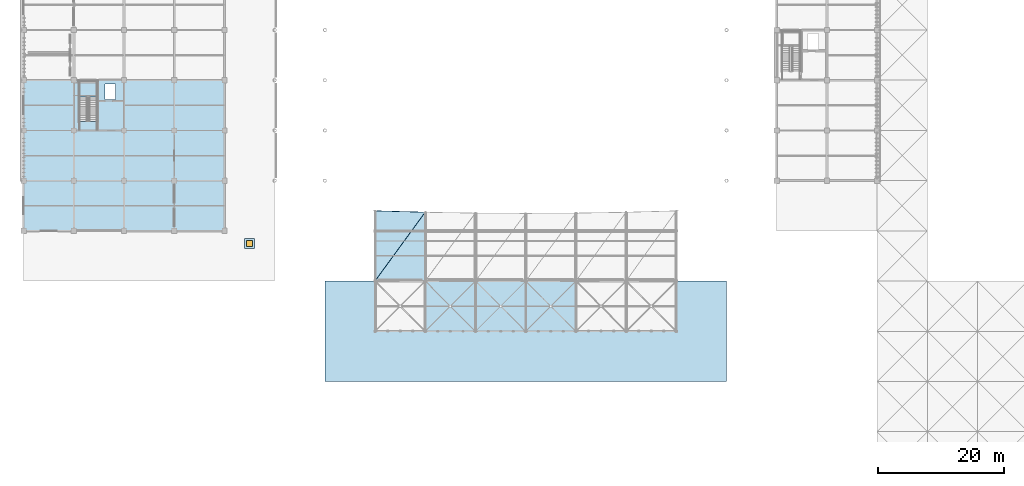
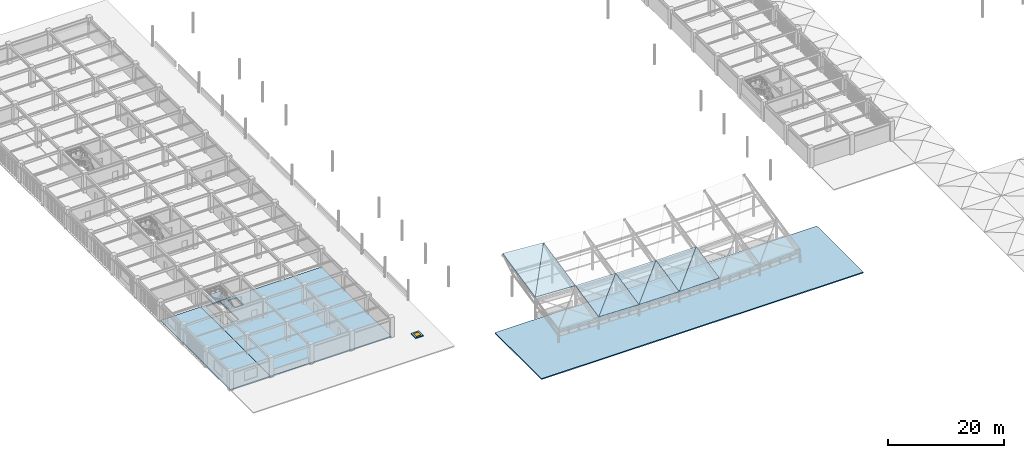
# One storey, part 42 of 78: 13 slabs, 1 door, 1 opening, 1 element without a shape of its own.
"""IFC4 building model written with IfcOpenShell, lengths in metres."""

from ifc_helpers import new_model, si_unit, direction, frame, origin, origin_2d, place, context, subcontext, project, spatial, polyline, rectangle, outline, extrude, material, layer, layer_set, type_object, element, fill, aggregate, save


model = new_model("IFC4")

# Units and contexts
model_context = context("Model", 3, precision=1e-05, world=origin(), true_north=direction((0.0, 1.0)))
body_context = subcontext(model_context, "Body", "Model", "MODEL_VIEW")
ifc_project = project(units=[si_unit("LENGTHUNIT", "METRE"), si_unit("AREAUNIT", "SQUARE_METRE"), si_unit("VOLUMEUNIT", "CUBIC_METRE"), si_unit("PLANEANGLEUNIT", "RADIAN"), si_unit("MASSUNIT", "GRAM", prefix="KILO")], contexts=[model_context])

# Site, building, storey
site_placement = place(None, origin())
site = spatial("IfcSite", under=ifc_project, at=site_placement, CompositionType="ELEMENT")
building_placement = place(site_placement, origin())
building = spatial("IfcBuilding", under=site, at=building_placement, Name="Haebicheon Civic Stadium", CompositionType="ELEMENT")
storey_placement = place(building_placement, frame((0.0, 0.0, 18.60009765625)))
storey = spatial("IfcBuildingStorey", under=building, at=storey_placement, Name="L05", CompositionType="ELEMENT", Elevation=18.60009765625)

# Slabs
ifc_material_1 = material(Name="White painted steel SM490", Category="steel")
ifc_layer_1 = layer(ifc_material_1, 0.159912109375, Name="White painted steel SM490")
ifc_layer_set_1 = layer_set([ifc_layer_1], Name="White painted steel SM490")
slab_type_1 = type_object("IfcSlabType", Name="SLB-CAN-160", PredefinedType="ROOF", material=ifc_layer_set_1)
slab_1_placement = place(storey_placement, frame((80.0, 32.0, 4.659912109375), z_axis=(0.044844821103, -0.209982700605, 0.976676101616), x_axis=(0.0, 0.977659661495, 0.210194163299)))
element("IfcSlab", 1, at=slab_1_placement, inside=storey, type_object=slab_type_1, material=ifc_layer_set_1, Name="CAN-SOUTH curled canopy facet 1.CT-A", PredefinedType="ROOF", context=body_context, shape_type="SweptSolid", body=[
    extrude(outline(polyline([(0.0, 0.0), (11.455879395437805, -1.3877787807814457e-17), (11.151674632276901, -8.00805638535099), (0.0, 0.0)])), origin(), (0.0, 0.0, -1.0), 0.159912109375),
])
slab_2_placement = place(storey_placement, frame((80.0, 32.0, 4.659912109375), z_axis=(0.044798515274, -0.209950594991, 0.976685128735), x_axis=(0.582702921999, 0.799616076373, 0.145160032723)))
element("IfcSlab", 2, at=slab_2_placement, inside=storey, type_object=slab_type_1, material=ifc_layer_set_1, Name="CAN-SOUTH curled canopy facet 1.CT-B", PredefinedType="ROOF", context=body_context, shape_type="SweptSolid", body=[
    extrude(outline(polyline([(0.0, 0.0), (13.729122847987373, -8.326672684688674e-16), (4.608357865934365, -6.549632448349318), (0.0, 0.0)])), origin(), (0.0, 0.0, -1.0), 0.159912109375),
])
slab_3_placement = place(storey_placement, frame((88.0, 24.0, 2.572998046875), z_axis=(0.026872357732, -0.210117380938, 0.977306790429), x_axis=(0.0, 0.977659849808, 0.210193287411)))
element("IfcSlab", 3, at=slab_3_placement, inside=storey, type_object=slab_type_1, material=ifc_layer_set_1, Name="CAN-SOUTH curled canopy facet 2.BS-A", PredefinedType="ROOF", context=body_context, shape_type="SweptSolid", body=[
    extrude(outline(polyline([(0.0, 0.0), (8.182805094807545, 0.0), (8.136568729583486, -8.002890059769918), (0.0, 0.0)])), origin(), (0.0, 0.0, -1.0), 0.159912109375),
])
slab_4_placement = place(storey_placement, frame((88.0, 24.0, 2.572998046875), z_axis=(0.026901992596, -0.210145720435, 0.977299881806), x_axis=(0.700972726941, 0.700972726941, 0.131432386301)))
element("IfcSlab", 4, at=slab_4_placement, inside=storey, type_object=slab_type_1, material=ifc_layer_set_1, Name="CAN-SOUTH curled canopy facet 2.BS-B", PredefinedType="ROOF", context=body_context, shape_type="SweptSolid", body=[
    extrude(outline(polyline([(0.0, 0.0), (11.412712210513327, -1.6653345369377348e-16), (5.578838453117467, -5.738035908865136), (0.0, 0.0)])), origin(), (0.0, 0.0, -1.0), 0.159912109375),
])
slab_5_placement = place(storey_placement, frame((96.0, 24.0, 2.352783203125), z_axis=(0.008920496547, -0.210213440378, 0.977614818948), x_axis=(0.0, 0.977653718245, 0.210221804772)))
element("IfcSlab", 5, at=slab_5_placement, inside=storey, type_object=slab_type_1, material=ifc_layer_set_1, Name="CAN-SOUTH curled canopy facet 3.BS-A", PredefinedType="ROOF", context=body_context, shape_type="SweptSolid", body=[
    extrude(outline(polyline([(0.0, 0.0), (8.182856415009239, -1.734723475976807e-18), (8.167510633850375, -8.000318320032534), (0.0, 0.0)])), origin(), (0.0, 0.0, -1.0), 0.159912109375),
])
slab_6_placement = place(storey_placement, frame((96.0, 24.0, 2.352783203125), z_axis=(0.008920496547, -0.210213440378, 0.977614818948), x_axis=(0.69972929891, 0.69972929891, 0.144075731804)))
element("IfcSlab", 6, at=slab_6_placement, inside=storey, type_object=slab_type_1, material=ifc_layer_set_1, Name="CAN-SOUTH curled canopy facet 3.BS-B", PredefinedType="ROOF", context=body_context, shape_type="SweptSolid", body=[
    extrude(outline(polyline([(0.0, 0.0), (11.432992748003786, -3.3306690738754696e-16), (5.587317144253583, -5.726012211336747), (0.0, 0.0)])), origin(), (0.0, 0.0, -1.0), 0.159912109375),
])
slab_7_placement = place(storey_placement, frame((104.0, 24.0, 2.27978515625), z_axis=(-0.008920496547, -0.210213440378, 0.977614818948), x_axis=(0.0, 0.977653718245, 0.210221804772)))
element("IfcSlab", 7, at=slab_7_placement, inside=storey, type_object=slab_type_1, material=ifc_layer_set_1, Name="CAN-SOUTH curled canopy facet 4.BS-A", PredefinedType="ROOF", context=body_context, shape_type="SweptSolid", body=[
    extrude(outline(polyline([(0.0, 0.0), (8.182856415009239, 1.734723475976807e-18), (8.198202196168102, -8.000318320032534), (0.0, 0.0)])), origin(), (0.0, 0.0, -1.0), 0.159912109375),
])
slab_8_placement = place(storey_placement, frame((104.0, 24.0, 2.27978515625), z_axis=(-0.008920496547, -0.210213440378, 0.977614818948), x_axis=(0.698388743751, 0.698388743751, 0.156544962245)))
element("IfcSlab", 8, at=slab_8_placement, inside=storey, type_object=slab_type_1, material=ifc_layer_set_1, Name="CAN-SOUTH curled canopy facet 4.BS-B", PredefinedType="ROOF", context=body_context, shape_type="SweptSolid", body=[
    extrude(outline(polyline([(0.0, 0.0), (11.454938344273343, 1.1102230246251565e-16), (5.598537426498469, -5.715042204476138), (0.0, 0.0)])), origin(), (0.0, 0.0, -1.0), 0.159912109375),
])

# Slab, opening, door
ifc_material_2 = material(Name="Precast concrete C40/50", Category="concrete")
ifc_layer_2 = layer(ifc_material_2, 0.2099609375, Name="Precast concrete C40/50")
ifc_layer_set_2 = layer_set([ifc_layer_2], Name="Precast concrete C40/50")
slab_type_2 = type_object("IfcSlabType", Name="SLB-CRB-210", PredefinedType="ROOF", material=ifc_layer_set_2)
slab_9_placement = place(storey_placement, origin())
slab_9 = element("IfcSlab", 9, at=slab_9_placement, inside=storey, type_object=slab_type_2, material=ifc_layer_set_2, Name="Rooftop hatch upstand curb 04", PredefinedType="ROOF", context=body_context, shape_type="SweptSolid", body=[
    extrude(outline(polyline([(59.199951171875, 37.199951171875), (60.800048828125, 37.199951171875), (60.800048828125, 38.800048828125), (59.199951171875, 38.800048828125), (59.199951171875, 37.199951171875)]), holes=[polyline([(59.5, 37.5), (60.5, 37.5), (60.5, 38.5), (59.5, 38.5), (59.5, 37.5)])]), origin(), (0.0, 0.0, 1.0), 0.2099609375),
])
opening_placement = place(slab_9_placement, frame((60.0, 38.0, -0.010009765625)))
opening = element("IfcOpeningElement", 10, at=opening_placement, cuts=slab_9, Name="Opening HTCH-04", PredefinedType="OPENING", context=body_context, shape_type="SweptSolid", body=[
    extrude(rectangle(XDim=1.0, YDim=1.0, at=origin_2d()), origin(), (0.0, 0.0, 1.0), 0.22998046875),
])
ifc_material_3 = material(Name="Anodised aluminium 6063-T6", Category="aluminium")
door_type = type_object("IfcDoorType", Name="ED-HTCH-1000", OperationType="NOTDEFINED", PredefinedType="TRAPDOOR", material=ifc_material_3)
door_placement = place(slab_9_placement, frame((60.0, 38.0, 0.159912109375)))
door = element("IfcDoor", 11, at=door_placement, inside=storey, type_object=door_type, material=ifc_material_3, Name="Roof maintenance access hatch HTCH-04", OperationType="SINGLE_SWING_LEFT", OverallHeight=1.0, OverallWidth=1.0, PredefinedType="TRAPDOOR", context=body_context, shape_type="SweptSolid", body=[
    extrude(rectangle(XDim=1.0, YDim=1.0, at=origin_2d()), origin(), (0.0, 0.0, 1.0), 0.050048828125),
])
fill(opening, door)

# Slabs
ifc_material_4 = material(Name="Concrete C40/50", Category="concrete")
ifc_layer_3 = layer(ifc_material_4, 0.260009765625, Name="Concrete C40/50")
ifc_layer_set_3 = layer_set([ifc_layer_3], Name="Concrete C40/50")
slab_type_3 = type_object("IfcSlabType", Name="SLB-FLR-260", PredefinedType="FLOOR", material=ifc_layer_set_3)
slab_10_placement = place(storey_placement, frame((0.0, 0.0, -0.260009765625)))
element("IfcSlab", 12, at=slab_10_placement, inside=storey, type_object=slab_type_3, material=ifc_layer_set_3, Name="L05 V1 structural slab 1.1", PredefinedType="FLOOR", context=body_context, shape_type="SweptSolid", body=[
    extrude(outline(polyline([(32.0, 40.0), (24.0, 40.0), (24.0, 48.0), (24.0, 56.0), (24.0, 64.0), (32.0, 64.0), (32.0, 56.0), (32.0, 48.0), (32.0, 40.0)])), origin(), (0.0, 0.0, 1.0), 0.260009765625),
])
slab_11_placement = place(storey_placement, frame((0.0, 0.0, -0.260009765625)))
element("IfcSlab", 13, at=slab_11_placement, inside=storey, type_object=slab_type_3, material=ifc_layer_set_3, Name="L05 V1 structural slab 5.1", PredefinedType="FLOOR", context=body_context, shape_type="SweptSolid", body=[
    extrude(outline(polyline([(32.0, 56.0), (32.0, 64.0), (40.0, 64.0), (48.0, 64.0), (56.0, 64.0), (56.0, 56.0), (56.0, 48.0), (56.0, 40.0), (48.0, 40.0), (40.0, 40.0), (32.0, 40.0), (32.0, 48.0), (32.0, 56.0)]), holes=[polyline([(32.840087890625, 57.4599609375), (35.739990234375, 57.4599609375), (35.739990234375, 63.840087890625), (32.840087890625, 63.840087890625), (32.840087890625, 57.4599609375)]), polyline([(36.969970703125, 60.929931640625), (38.669921875, 60.929931640625), (38.669921875, 63.429931640625), (36.969970703125, 63.429931640625), (36.969970703125, 60.929931640625)])]), origin(), (0.0, 0.0, 1.0), 0.260009765625),
])

# Stair, slab
ifc_material_5 = material(Name="Concrete C40/50", Category="concrete")
stair_type = type_object("IfcStairType", Name="STR-DL-W128-H42", PredefinedType="HALF_TURN_STAIR", material=ifc_material_5)
stair_placement = place(storey_placement, origin())
stair = element("IfcStair", 14, at=stair_placement, inside=storey, type_object=stair_type, material=ifc_material_5, Name="L05 Escape stair ST-02", PredefinedType="HALF_TURN_STAIR")
ifc_material_6 = material(Name="Concrete C40/50", Category="concrete")
ifc_layer_4 = layer(ifc_material_6, 0.199951171875, Name="Concrete C40/50")
ifc_layer_set_4 = layer_set([ifc_layer_4], Name="Concrete C40/50")
slab_type_4 = type_object("IfcSlabType", Name="SLB-LND-200", PredefinedType="LANDING", material=ifc_layer_set_4)
slab_12_placement = place(storey_placement, frame((0.0, 0.0, 1.89990234375)))
slab_12 = element("IfcSlab", 15, at=slab_12_placement, type_object=slab_type_4, material=ifc_layer_set_4, Name="ST-02 landing 1", PredefinedType="LANDING", context=body_context, shape_type="SweptSolid", body=[
    extrude(outline(polyline([(35.739990234375, 61.35009765625), (35.739990234375, 63.840087890625), (32.840087890625, 63.840087890625), (32.840087890625, 61.35009765625), (35.739990234375, 61.35009765625)])), origin(), (0.0, 0.0, 1.0), 0.199951171875),
])
aggregate(stair, [slab_12])

# Slab
ifc_material_7 = material(Name="Concrete C40/50", Category="concrete")
ifc_layer_5 = layer(ifc_material_7, 0.219970703125, Name="Concrete C40/50")
ifc_layer_set_5 = layer_set([ifc_layer_5], Name="Concrete C40/50")
slab_type_5 = type_object("IfcSlabType", Name="SLB-ROOF-220", PredefinedType="ROOF", material=ifc_layer_set_5)
slab_13_placement = place(storey_placement, frame((0.0, 0.0, -0.22021484375)))
element("IfcSlab", 16, at=slab_13_placement, inside=storey, type_object=slab_type_5, material=ifc_layer_set_5, Name="L05 V2 roof deck slab 1", PredefinedType="ROOF", context=body_context, shape_type="SweptSolid", body=[
    extrude(outline(polyline([(72.0, 32.0), (136.0, 32.0), (136.0, 16.0), (72.0, 16.0), (72.0, 32.0)])), origin(), (0.0, 0.0, 1.0), 0.22021484375),
])

save(model, "model.ifc")
